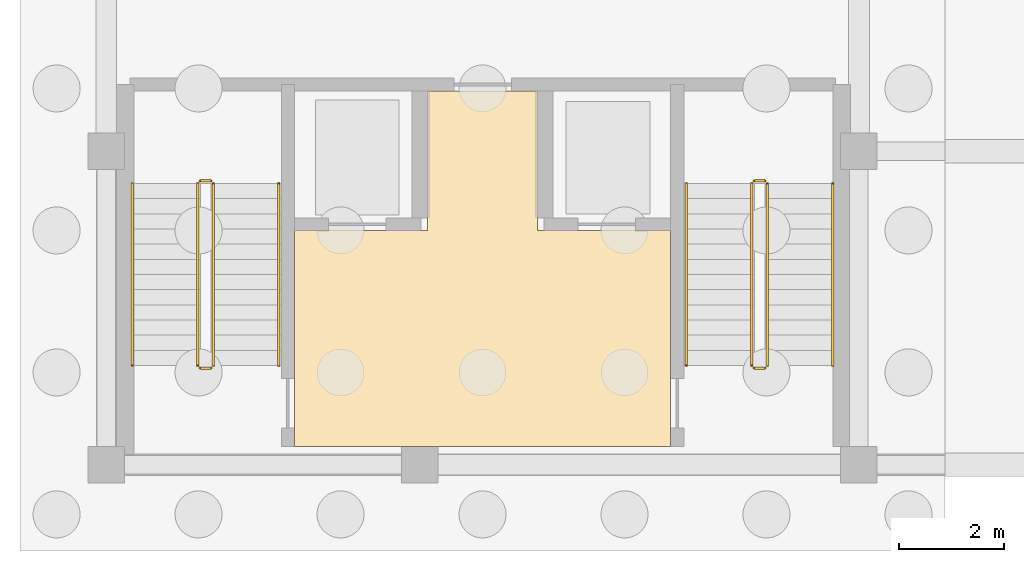
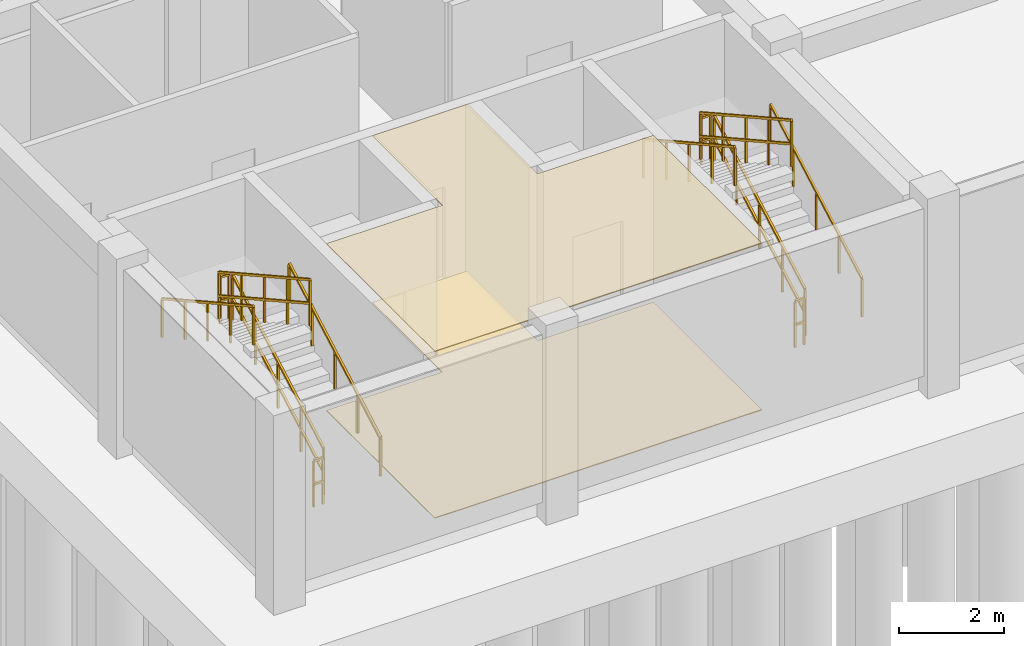
# One storey, part 33 of 40: 12 railings, 2 coverings.
"""IFC4 building model written with IfcOpenShell, lengths in metres."""

from ifc_helpers import new_model, si_unit, direction, frame, origin, origin_2d, place, context, subcontext, project, spatial, polyline, rectangle, outline, extrude, material, layer, layer_set, type_object, element, save


model = new_model("IFC4")

# Units and contexts
model_context = context("Model", 3, precision=1e-05, world=origin(), true_north=direction((0.0, 1.0)))
body_context = subcontext(model_context, "Body", "Model", "MODEL_VIEW")
ifc_project = project(units=[si_unit("LENGTHUNIT", "METRE"), si_unit("AREAUNIT", "SQUARE_METRE"), si_unit("VOLUMEUNIT", "CUBIC_METRE"), si_unit("PLANEANGLEUNIT", "RADIAN"), si_unit("MASSUNIT", "GRAM", prefix="KILO"), si_unit("THERMODYNAMICTEMPERATUREUNIT", "KELVIN")], contexts=[model_context])

# Site, building, storey
site_placement = place(None, origin())
site = spatial("IfcSite", under=ifc_project, at=site_placement, CompositionType="ELEMENT")
building_placement = place(site_placement, origin())
building = spatial("IfcBuilding", under=site, at=building_placement, Name="Thalorik Housing Commons", CompositionType="ELEMENT")
storey_placement = place(building_placement, frame((0.0, 0.0, -4.199951171875)))
storey = spatial("IfcBuildingStorey", under=building, at=storey_placement, Name="B1", CompositionType="ELEMENT", Elevation=-4.199951171875)

# Coverings
ifc_material_1 = material(Name="Slatted timber acoustic hall baffle ceiling", Category="wood")
ifc_layer_1 = layer(ifc_material_1, 0.02197265625, Name="Slatted timber acoustic hall baffle ceiling", Category="wood")
ifc_layer_set_1 = layer_set([ifc_layer_1], Name="Slatted timber acoustic hall baffle ceiling")
covering_type_1 = type_object("IfcCoveringType", Name="ARC-COV-CEIL-03", PredefinedType="CEILING", material=ifc_layer_set_1)
covering_1_placement = place(storey_placement, frame((0.0, 0.0, 3.8779296875)))
element("IfcCovering", 1, at=covering_1_placement, inside=storey, type_object=covering_type_1, Name="B1 Block C Firefighting Lift Lobby Suspended Ceiling", PredefinedType="CEILING", context=body_context, shape_type="SweptSolid", body=[
    extrude(outline(polyline([(12.0, 12.8798828125), (12.0, 8.75), (19.199951171875, 8.75), (19.199951171875, 12.8798828125), (16.64990234375, 12.880126953125), (16.64990234375, 15.550048828125), (14.550048828125, 15.550048828125), (14.550048828125, 12.8798828125), (12.0, 12.8798828125)])), origin(), (0.0, 0.0, 1.0), 0.02197265625),
])
ifc_material_2 = material(Name="Cushioned natural linoleum nursery playroom flooring")
ifc_layer_2 = layer(ifc_material_2, 0.02001953125, Name="Cushioned natural linoleum nursery playroom flooring")
ifc_layer_set_2 = layer_set([ifc_layer_2], Name="Cushioned natural linoleum nursery playroom flooring")
covering_type_2 = type_object("IfcCoveringType", Name="ARC-COV-FLR-03", PredefinedType="FLOORING", material=ifc_layer_set_2)
covering_2_placement = place(storey_placement, origin())
element("IfcCovering", 2, at=covering_2_placement, inside=storey, type_object=covering_type_2, Name="B1 Block C Firefighting Lift Lobby Flooring", PredefinedType="FLOORING", context=body_context, shape_type="SweptSolid", body=[
    extrude(outline(polyline([(12.0, 12.8798828125), (12.0, 8.75), (19.199951171875, 8.75), (19.199951171875, 12.8798828125), (16.64990234375, 12.880126953125), (16.64990234375, 15.550048828125), (14.550048828125, 15.550048828125), (14.550048828125, 12.8798828125), (12.0, 12.8798828125)])), origin(), (0.0, 0.0, 1.0), 0.02001953125),
])

# Railings
ifc_material_3 = material(Name="Steel S355", Category="steel")
railing_type_1 = type_object("IfcRailingType", Name="ARC-RL-STR-GRD110", PredefinedType="GUARDRAIL", material=ifc_material_3)
railing_1_placement = place(storey_placement, frame((10.449951171875, 10.300048828125, 0.161376953125)))
element("IfcRailing", 3, at=railing_1_placement, inside=storey, type_object=railing_type_1, Name="B1 ST-C1 stair guard 1", PredefinedType="GUARDRAIL", context=body_context, shape_type="SweptSolid", body=[
    extrude(rectangle(XDim=0.048095703125, YDim=0.048095703125, at=origin_2d()), frame((0.0, 0.0, 1.076171875), z_axis=(0.0, 0.87360743253, 0.486631332559), x_axis=(-1.0, 0.0, 0.0)), (0.0, 0.0, 1.0), 3.9833984375),
    extrude(rectangle(XDim=0.048095703125, YDim=0.048095703125, at=origin_2d()), frame((0.0, 0.0, 0.52587890625), z_axis=(0.0, 0.87360743253, 0.486631332559), x_axis=(-1.0, 0.0, 0.0)), (0.0, 0.0, 1.0), 3.9833984375),
    extrude(rectangle(XDim=0.0419921875, YDim=0.0419921875, at=origin_2d()), origin(), (0.0, 0.0, 1.0), 1.052001953125),
    extrude(rectangle(XDim=0.0419921875, YDim=0.0419921875, at=origin_2d()), frame((0.0, 0.8701171875, 0.484619140625)), (0.0, 0.0, 1.0), 1.052001953125),
    extrude(rectangle(XDim=0.0419921875, YDim=0.0419921875, at=origin_2d()), frame((0.0, 1.739990234375, 0.96923828125)), (0.0, 0.0, 1.0), 1.052001953125),
    extrude(rectangle(XDim=0.0419921875, YDim=0.0419921875, at=origin_2d()), frame((0.0, 2.60986328125, 1.453857421875)), (0.0, 0.0, 1.0), 1.052001953125),
    extrude(rectangle(XDim=0.0419921875, YDim=0.0419921875, at=origin_2d()), frame((0.0, 3.47998046875, 1.9384765625)), (0.0, 0.0, 1.0), 1.052001953125),
])
railing_2_placement = place(storey_placement, frame((10.39990234375, 13.830078125, 2.099853515625)))
element("IfcRailing", 4, at=railing_2_placement, inside=storey, type_object=railing_type_1, Name="B1 ST-C1 stair guard 2", PredefinedType="GUARDRAIL", context=body_context, shape_type="SweptSolid", body=[
    extrude(rectangle(XDim=0.048095703125, YDim=0.048095703125, at=origin_2d()), frame((0.0, 0.0, 1.076171875), z_axis=(-1.0, 0.0, 0.0), x_axis=(0.0, -1.0, 0.0)), (0.0, 0.0, 1.0), 0.199951171875),
    extrude(rectangle(XDim=0.048095703125, YDim=0.048095703125, at=origin_2d()), frame((0.0, 0.0, 0.52587890625), z_axis=(-1.0, 0.0, 0.0), x_axis=(0.0, -1.0, 0.0)), (0.0, 0.0, 1.0), 0.199951171875),
    extrude(rectangle(XDim=0.0419921875, YDim=0.0419921875, at=origin_2d()), origin(), (0.0, 0.0, 1.0), 1.052001953125),
    extrude(rectangle(XDim=0.0419921875, YDim=0.0419921875, at=origin_2d()), frame((-0.199951171875, 0.0, 0.0)), (0.0, 0.0, 1.0), 1.052001953125),
])
railing_3_placement = place(storey_placement, frame((10.14990234375, 13.780029296875, 2.261474609375)))
element("IfcRailing", 5, at=railing_3_placement, inside=storey, type_object=railing_type_1, Name="B1 ST-C1 stair guard 3", PredefinedType="GUARDRAIL", context=body_context, shape_type="SweptSolid", body=[
    extrude(rectangle(XDim=0.048095703125, YDim=0.048095703125, at=origin_2d()), frame((0.0, 0.0, 1.076171875), z_axis=(0.0, -0.87360743253, 0.486631332559), x_axis=(1.0, 0.0, 0.0)), (0.0, 0.0, 1.0), 3.9833984375),
    extrude(rectangle(XDim=0.048095703125, YDim=0.048095703125, at=origin_2d()), frame((0.0, 0.0, 0.52587890625), z_axis=(0.0, -0.87360743253, 0.486631332559), x_axis=(1.0, 0.0, 0.0)), (0.0, 0.0, 1.0), 3.9833984375),
    extrude(rectangle(XDim=0.0419921875, YDim=0.0419921875, at=origin_2d()), origin(), (0.0, 0.0, 1.0), 1.052001953125),
    extrude(rectangle(XDim=0.0419921875, YDim=0.0419921875, at=origin_2d()), frame((0.0, -0.8701171875, 0.484619140625)), (0.0, 0.0, 1.0), 1.052001953125),
    extrude(rectangle(XDim=0.0419921875, YDim=0.0419921875, at=origin_2d()), frame((0.0, -1.739990234375, 0.96923828125)), (0.0, 0.0, 1.0), 1.052001953125),
    extrude(rectangle(XDim=0.0419921875, YDim=0.0419921875, at=origin_2d()), frame((0.0, -2.60986328125, 1.453857421875)), (0.0, 0.0, 1.0), 1.052001953125),
    extrude(rectangle(XDim=0.0419921875, YDim=0.0419921875, at=origin_2d()), frame((0.0, -3.47998046875, 1.9384765625)), (0.0, 0.0, 1.0), 1.052001953125),
])
railing_4_placement = place(storey_placement, frame((10.39990234375, 10.25, 0.0)))
element("IfcRailing", 6, at=railing_4_placement, inside=storey, type_object=railing_type_1, Name="B1 ST-C1 stair guard 4", PredefinedType="GUARDRAIL", context=body_context, shape_type="SweptSolid", body=[
    extrude(rectangle(XDim=0.048095703125, YDim=0.048095703125, at=origin_2d()), frame((0.0, 0.0, 1.076171875), z_axis=(-1.0, 0.0, 0.0), x_axis=(0.0, -1.0, 0.0)), (0.0, 0.0, 1.0), 0.199951171875),
    extrude(rectangle(XDim=0.048095703125, YDim=0.048095703125, at=origin_2d()), frame((0.0, 0.0, 0.52587890625), z_axis=(-1.0, 0.0, 0.0), x_axis=(0.0, -1.0, 0.0)), (0.0, 0.0, 1.0), 0.199951171875),
    extrude(rectangle(XDim=0.0419921875, YDim=0.0419921875, at=origin_2d()), origin(), (0.0, 0.0, 1.0), 1.052001953125),
    extrude(rectangle(XDim=0.0419921875, YDim=0.0419921875, at=origin_2d()), frame((-0.199951171875, 0.0, 0.0)), (0.0, 0.0, 1.0), 1.052001953125),
])
railing_5_placement = place(storey_placement, frame((21.050048828125, 10.300048828125, 0.161376953125)))
element("IfcRailing", 7, at=railing_5_placement, inside=storey, type_object=railing_type_1, Name="B1 ST-C2 stair guard 1", PredefinedType="GUARDRAIL", context=body_context, shape_type="SweptSolid", body=[
    extrude(rectangle(XDim=0.048095703125, YDim=0.048095703125, at=origin_2d()), frame((0.0, 0.0, 1.076171875), z_axis=(0.0, 0.87360743253, 0.486631332559), x_axis=(-1.0, 0.0, 0.0)), (0.0, 0.0, 1.0), 3.9833984375),
    extrude(rectangle(XDim=0.048095703125, YDim=0.048095703125, at=origin_2d()), frame((0.0, 0.0, 0.52587890625), z_axis=(0.0, 0.87360743253, 0.486631332559), x_axis=(-1.0, 0.0, 0.0)), (0.0, 0.0, 1.0), 3.9833984375),
    extrude(rectangle(XDim=0.0419921875, YDim=0.0419921875, at=origin_2d()), origin(), (0.0, 0.0, 1.0), 1.052001953125),
    extrude(rectangle(XDim=0.0419921875, YDim=0.0419921875, at=origin_2d()), frame((0.0, 0.8701171875, 0.484619140625)), (0.0, 0.0, 1.0), 1.052001953125),
    extrude(rectangle(XDim=0.0419921875, YDim=0.0419921875, at=origin_2d()), frame((0.0, 1.739990234375, 0.96923828125)), (0.0, 0.0, 1.0), 1.052001953125),
    extrude(rectangle(XDim=0.0419921875, YDim=0.0419921875, at=origin_2d()), frame((0.0, 2.60986328125, 1.453857421875)), (0.0, 0.0, 1.0), 1.052001953125),
    extrude(rectangle(XDim=0.0419921875, YDim=0.0419921875, at=origin_2d()), frame((0.0, 3.47998046875, 1.9384765625)), (0.0, 0.0, 1.0), 1.052001953125),
])
railing_6_placement = place(storey_placement, frame((21.0, 13.830078125, 2.099853515625)))
element("IfcRailing", 8, at=railing_6_placement, inside=storey, type_object=railing_type_1, Name="B1 ST-C2 stair guard 2", PredefinedType="GUARDRAIL", context=body_context, shape_type="SweptSolid", body=[
    extrude(rectangle(XDim=0.048095703125, YDim=0.048095703125, at=origin_2d()), frame((0.0, 0.0, 1.076171875), z_axis=(-1.0, 0.0, 0.0), x_axis=(0.0, -1.0, 0.0)), (0.0, 0.0, 1.0), 0.199951171875),
    extrude(rectangle(XDim=0.048095703125, YDim=0.048095703125, at=origin_2d()), frame((0.0, 0.0, 0.52587890625), z_axis=(-1.0, 0.0, 0.0), x_axis=(0.0, -1.0, 0.0)), (0.0, 0.0, 1.0), 0.199951171875),
    extrude(rectangle(XDim=0.0419921875, YDim=0.0419921875, at=origin_2d()), origin(), (0.0, 0.0, 1.0), 1.052001953125),
    extrude(rectangle(XDim=0.0419921875, YDim=0.0419921875, at=origin_2d()), frame((-0.199951171875, 0.0, 0.0)), (0.0, 0.0, 1.0), 1.052001953125),
])
railing_7_placement = place(storey_placement, frame((20.75, 13.780029296875, 2.261474609375)))
element("IfcRailing", 9, at=railing_7_placement, inside=storey, type_object=railing_type_1, Name="B1 ST-C2 stair guard 3", PredefinedType="GUARDRAIL", context=body_context, shape_type="SweptSolid", body=[
    extrude(rectangle(XDim=0.048095703125, YDim=0.048095703125, at=origin_2d()), frame((0.0, 0.0, 1.076171875), z_axis=(0.0, -0.87360743253, 0.486631332559), x_axis=(1.0, 0.0, 0.0)), (0.0, 0.0, 1.0), 3.9833984375),
    extrude(rectangle(XDim=0.048095703125, YDim=0.048095703125, at=origin_2d()), frame((0.0, 0.0, 0.52587890625), z_axis=(0.0, -0.87360743253, 0.486631332559), x_axis=(1.0, 0.0, 0.0)), (0.0, 0.0, 1.0), 3.9833984375),
    extrude(rectangle(XDim=0.0419921875, YDim=0.0419921875, at=origin_2d()), origin(), (0.0, 0.0, 1.0), 1.052001953125),
    extrude(rectangle(XDim=0.0419921875, YDim=0.0419921875, at=origin_2d()), frame((0.0, -0.8701171875, 0.484619140625)), (0.0, 0.0, 1.0), 1.052001953125),
    extrude(rectangle(XDim=0.0419921875, YDim=0.0419921875, at=origin_2d()), frame((0.0, -1.739990234375, 0.96923828125)), (0.0, 0.0, 1.0), 1.052001953125),
    extrude(rectangle(XDim=0.0419921875, YDim=0.0419921875, at=origin_2d()), frame((0.0, -2.60986328125, 1.453857421875)), (0.0, 0.0, 1.0), 1.052001953125),
    extrude(rectangle(XDim=0.0419921875, YDim=0.0419921875, at=origin_2d()), frame((0.0, -3.47998046875, 1.9384765625)), (0.0, 0.0, 1.0), 1.052001953125),
])
railing_8_placement = place(storey_placement, frame((21.0, 10.25, 0.0)))
element("IfcRailing", 10, at=railing_8_placement, inside=storey, type_object=railing_type_1, Name="B1 ST-C2 stair guard 4", PredefinedType="GUARDRAIL", context=body_context, shape_type="SweptSolid", body=[
    extrude(rectangle(XDim=0.048095703125, YDim=0.048095703125, at=origin_2d()), frame((0.0, 0.0, 1.076171875), z_axis=(-1.0, 0.0, 0.0), x_axis=(0.0, -1.0, 0.0)), (0.0, 0.0, 1.0), 0.199951171875),
    extrude(rectangle(XDim=0.048095703125, YDim=0.048095703125, at=origin_2d()), frame((0.0, 0.0, 0.52587890625), z_axis=(-1.0, 0.0, 0.0), x_axis=(0.0, -1.0, 0.0)), (0.0, 0.0, 1.0), 0.199951171875),
    extrude(rectangle(XDim=0.0419921875, YDim=0.0419921875, at=origin_2d()), origin(), (0.0, 0.0, 1.0), 1.052001953125),
    extrude(rectangle(XDim=0.0419921875, YDim=0.0419921875, at=origin_2d()), frame((-0.199951171875, 0.0, 0.0)), (0.0, 0.0, 1.0), 1.052001953125),
])
railing_type_2 = type_object("IfcRailingType", Name="ARC-RL-STR-HR092", PredefinedType="HANDRAIL", material=ifc_material_3)
railing_9_placement = place(storey_placement, frame((11.699951171875, 10.300048828125, 0.161376953125)))
element("IfcRailing", 11, at=railing_9_placement, inside=storey, type_object=railing_type_2, Name="B1 ST-C1 stair handrail 1", PredefinedType="HANDRAIL", context=body_context, shape_type="SweptSolid", body=[
    extrude(rectangle(XDim=0.048095703125, YDim=0.048095703125, at=origin_2d()), frame((0.0, 0.0, 0.89599609375), z_axis=(0.0, 0.87360743253, 0.486631332559), x_axis=(-1.0, 0.0, 0.0)), (0.0, 0.0, 1.0), 3.9833984375),
    extrude(rectangle(XDim=0.0419921875, YDim=0.0419921875, at=origin_2d()), origin(), (0.0, 0.0, 1.0), 0.871826171875),
    extrude(rectangle(XDim=0.0419921875, YDim=0.0419921875, at=origin_2d()), frame((0.0, 0.8701171875, 0.484619140625)), (0.0, 0.0, 1.0), 0.871826171875),
    extrude(rectangle(XDim=0.0419921875, YDim=0.0419921875, at=origin_2d()), frame((0.0, 1.739990234375, 0.96923828125)), (0.0, 0.0, 1.0), 0.871826171875),
    extrude(rectangle(XDim=0.0419921875, YDim=0.0419921875, at=origin_2d()), frame((0.0, 2.60986328125, 1.453857421875)), (0.0, 0.0, 1.0), 0.871826171875),
    extrude(rectangle(XDim=0.0419921875, YDim=0.0419921875, at=origin_2d()), frame((0.0, 3.47998046875, 1.9384765625)), (0.0, 0.0, 1.0), 0.871826171875),
])
railing_10_placement = place(storey_placement, frame((8.89990234375, 13.780029296875, 2.261474609375)))
element("IfcRailing", 12, at=railing_10_placement, inside=storey, type_object=railing_type_2, Name="B1 ST-C1 stair handrail 2", PredefinedType="HANDRAIL", context=body_context, shape_type="SweptSolid", body=[
    extrude(rectangle(XDim=0.048095703125, YDim=0.048095703125, at=origin_2d()), frame((0.0, 0.0, 0.89599609375), z_axis=(0.0, -0.87360743253, 0.486631332559), x_axis=(1.0, 0.0, 0.0)), (0.0, 0.0, 1.0), 3.9833984375),
    extrude(rectangle(XDim=0.0419921875, YDim=0.0419921875, at=origin_2d()), origin(), (0.0, 0.0, 1.0), 0.871826171875),
    extrude(rectangle(XDim=0.0419921875, YDim=0.0419921875, at=origin_2d()), frame((0.0, -0.8701171875, 0.484619140625)), (0.0, 0.0, 1.0), 0.871826171875),
    extrude(rectangle(XDim=0.0419921875, YDim=0.0419921875, at=origin_2d()), frame((0.0, -1.739990234375, 0.96923828125)), (0.0, 0.0, 1.0), 0.871826171875),
    extrude(rectangle(XDim=0.0419921875, YDim=0.0419921875, at=origin_2d()), frame((0.0, -2.60986328125, 1.453857421875)), (0.0, 0.0, 1.0), 0.871826171875),
    extrude(rectangle(XDim=0.0419921875, YDim=0.0419921875, at=origin_2d()), frame((0.0, -3.47998046875, 1.9384765625)), (0.0, 0.0, 1.0), 0.871826171875),
])
railing_11_placement = place(storey_placement, frame((22.300048828125, 10.300048828125, 0.161376953125)))
element("IfcRailing", 13, at=railing_11_placement, inside=storey, type_object=railing_type_2, Name="B1 ST-C2 stair handrail 1", PredefinedType="HANDRAIL", context=body_context, shape_type="SweptSolid", body=[
    extrude(rectangle(XDim=0.048095703125, YDim=0.048095703125, at=origin_2d()), frame((0.0, 0.0, 0.89599609375), z_axis=(0.0, 0.87360743253, 0.486631332559), x_axis=(-1.0, 0.0, 0.0)), (0.0, 0.0, 1.0), 3.9833984375),
    extrude(rectangle(XDim=0.0419921875, YDim=0.0419921875, at=origin_2d()), origin(), (0.0, 0.0, 1.0), 0.871826171875),
    extrude(rectangle(XDim=0.0419921875, YDim=0.0419921875, at=origin_2d()), frame((0.0, 0.8701171875, 0.484619140625)), (0.0, 0.0, 1.0), 0.871826171875),
    extrude(rectangle(XDim=0.0419921875, YDim=0.0419921875, at=origin_2d()), frame((0.0, 1.739990234375, 0.96923828125)), (0.0, 0.0, 1.0), 0.871826171875),
    extrude(rectangle(XDim=0.0419921875, YDim=0.0419921875, at=origin_2d()), frame((0.0, 2.60986328125, 1.453857421875)), (0.0, 0.0, 1.0), 0.871826171875),
    extrude(rectangle(XDim=0.0419921875, YDim=0.0419921875, at=origin_2d()), frame((0.0, 3.47998046875, 1.9384765625)), (0.0, 0.0, 1.0), 0.871826171875),
])
railing_12_placement = place(storey_placement, frame((19.5, 13.780029296875, 2.261474609375)))
element("IfcRailing", 14, at=railing_12_placement, inside=storey, type_object=railing_type_2, Name="B1 ST-C2 stair handrail 2", PredefinedType="HANDRAIL", context=body_context, shape_type="SweptSolid", body=[
    extrude(rectangle(XDim=0.048095703125, YDim=0.048095703125, at=origin_2d()), frame((0.0, 0.0, 0.89599609375), z_axis=(0.0, -0.87360743253, 0.486631332559), x_axis=(1.0, 0.0, 0.0)), (0.0, 0.0, 1.0), 3.9833984375),
    extrude(rectangle(XDim=0.0419921875, YDim=0.0419921875, at=origin_2d()), origin(), (0.0, 0.0, 1.0), 0.871826171875),
    extrude(rectangle(XDim=0.0419921875, YDim=0.0419921875, at=origin_2d()), frame((0.0, -0.8701171875, 0.484619140625)), (0.0, 0.0, 1.0), 0.871826171875),
    extrude(rectangle(XDim=0.0419921875, YDim=0.0419921875, at=origin_2d()), frame((0.0, -1.739990234375, 0.96923828125)), (0.0, 0.0, 1.0), 0.871826171875),
    extrude(rectangle(XDim=0.0419921875, YDim=0.0419921875, at=origin_2d()), frame((0.0, -2.60986328125, 1.453857421875)), (0.0, 0.0, 1.0), 0.871826171875),
    extrude(rectangle(XDim=0.0419921875, YDim=0.0419921875, at=origin_2d()), frame((0.0, -3.47998046875, 1.9384765625)), (0.0, 0.0, 1.0), 0.871826171875),
])

save(model, "model.ifc")
